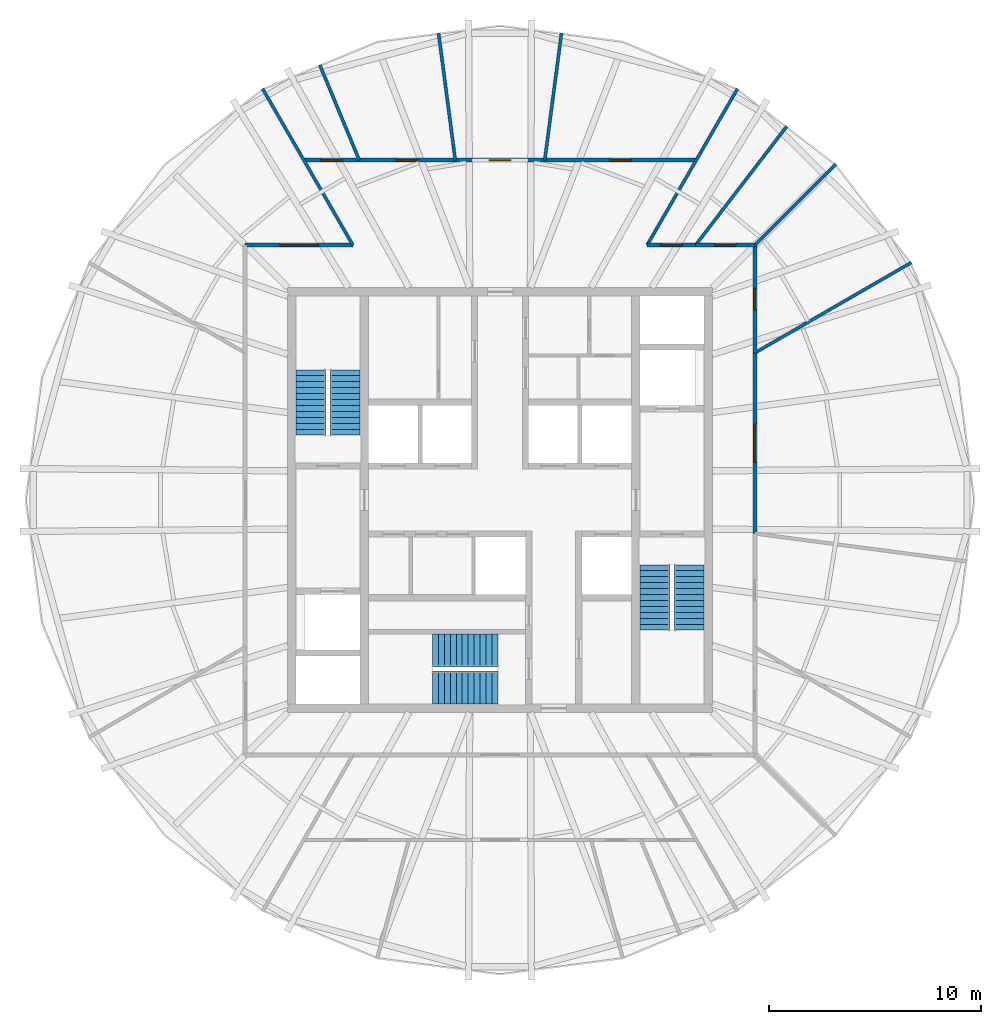
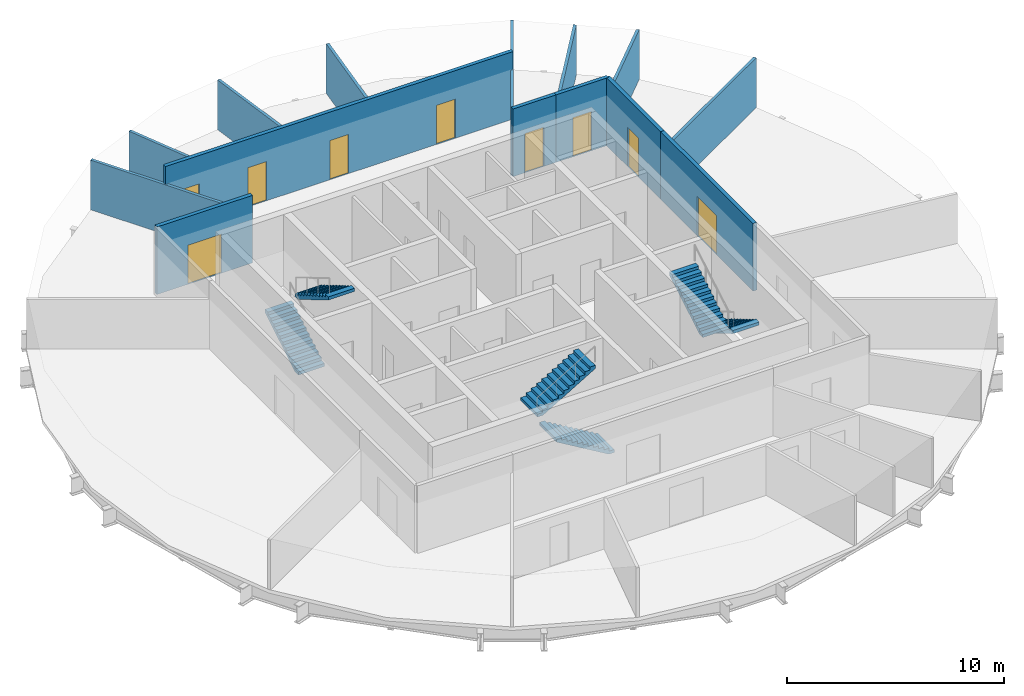
# One storey, part 5 of 6: 14 walls, 9 doors, 6 stair flights, 9 openings, 3 elements without a shape of their own.
"""IFC4 building model written with IfcOpenShell, lengths in metres."""

from ifc_helpers import new_model, si_unit, direction, frame, frame_2d, origin, place, context, subcontext, project, spatial, polyline, rectangle, outline, extrude, material, layer, layer_set, type_object, element, fill, aggregate, save


model = new_model("IFC4")

# Units and contexts
model_context = context("Model", 3, precision=1e-05, world=origin(), true_north=direction((0.0, 1.0)))
body_context = subcontext(model_context, "Body", "Model", "MODEL_VIEW")
ifc_project = project(units=[si_unit("LENGTHUNIT", "METRE"), si_unit("AREAUNIT", "SQUARE_METRE"), si_unit("VOLUMEUNIT", "CUBIC_METRE"), si_unit("PLANEANGLEUNIT", "RADIAN"), si_unit("MASSUNIT", "GRAM", prefix="KILO")], contexts=[model_context])

# Site, building, storey
site_placement = place(None, origin())
site = spatial("IfcSite", under=ifc_project, at=site_placement, CompositionType="ELEMENT")
building_placement = place(site_placement, origin())
building = spatial("IfcBuilding", under=site, at=building_placement, Name="Golbaran Civic Tower", CompositionType="ELEMENT")
storey_placement = place(building_placement, frame((0.0, 0.0, 252.0)))
storey = spatial("IfcBuildingStorey", under=building, at=storey_placement, Name="L61", CompositionType="ELEMENT", Elevation=252.0)

# Wall, opening, door
ifc_material_1 = material(Name="Gypsum board on steel studs, fire-rated", Category="steel")
ifc_layer_1 = layer(ifc_material_1, 0.199951171875, Name="Gypsum board on steel studs, fire-rated")
ifc_layer_set_1 = layer_set([ifc_layer_1], Name="Gypsum board on steel studs, fire-rated")
wall_type_1 = type_object("IfcWallType", Name="CORRIDOR WALL 200", PredefinedType="PARTITIONING", material=ifc_layer_set_1)
wall_1_placement = place(storey_placement, frame((12.0, -1.579833984375, 0.0), z_axis=(0.0, 0.0, 1.0), x_axis=(0.0, 1.0, 0.0)))
wall_1 = element("IfcWall", 1, at=wall_1_placement, inside=storey, type_object=wall_type_1, Name="Corridor wall L61", PredefinedType="PARTITIONING", context=body_context, shape_type="SweptSolid", body=[
    extrude(rectangle(XDim=8.508056640625, YDim=0.199951171875, at=frame_2d((4.25390625, 0.0))), origin(), (0.0, 0.0, 1.0), 3.800048828125),
])
opening_1_placement = place(wall_1_placement, frame((3.35400390625, 0.0, 0.0)))
opening_1 = element("IfcOpeningElement", 2, at=opening_1_placement, cuts=wall_1, Name="Opening L61.11", PredefinedType="OPENING", context=body_context, shape_type="SweptSolid", body=[
    extrude(rectangle(XDim=1.800048828125, YDim=2.199951171875, at=frame_2d((0.89990234375, 1.10009765625))), frame((0.0, 0.10986328125, 0.0), z_axis=(0.0, -1.0, 0.0), x_axis=(1.0, 0.0, 0.0)), (0.0, 0.0, 1.0), 0.219970703125),
])
ifc_material_2 = material(Name="Timber door set in steel frame", Category="steel")
door_type_1 = type_object("IfcDoorType", Name="OFFICE DOUBLE DOOR 1800x2200", OperationType="DOUBLE_DOOR_SINGLE_SWING", PredefinedType="DOOR", material=ifc_material_2)
door_1_placement = place(opening_1_placement, origin())
door_1 = element("IfcDoor", 3, at=door_1_placement, inside=storey, type_object=door_type_1, Name="Conference Room door L61", OperationType="DOUBLE_DOOR_SINGLE_SWING", OverallHeight=2.199951171875, OverallWidth=1.800048828125, PredefinedType="DOOR", context=body_context, shape_type="SweptSolid", body=[
    extrude(rectangle(XDim=1.800048828125, YDim=2.199951171875, at=frame_2d((0.89990234375, 1.10009765625))), frame((0.0, 0.02490234375, 0.0), z_axis=(0.0, -1.0, 0.0), x_axis=(1.0, 0.0, 0.0)), (0.0, 0.0, 1.0), 0.050048828125),
])
fill(opening_1, door_1)

wall_2_placement = place(storey_placement, frame((12.0, 6.92822265625, 0.0), z_axis=(0.0, 0.0, 1.0), x_axis=(0.0, 1.0, 0.0)))
wall_2 = element("IfcWall", 4, at=wall_2_placement, inside=storey, type_object=wall_type_1, Name="Corridor wall L61", PredefinedType="PARTITIONING", context=body_context, shape_type="SweptSolid", body=[
    extrude(rectangle(XDim=5.07177734375, YDim=0.199951171875, at=frame_2d((2.535888671875, 0.0))), origin(), (0.0, 0.0, 1.0), 3.800048828125),
])
opening_2_placement = place(wall_2_placement, frame((2.035888671875, 0.0, 0.0)))
opening_2 = element("IfcOpeningElement", 5, at=opening_2_placement, cuts=wall_2, Name="Opening L61.12", PredefinedType="OPENING", context=body_context, shape_type="SweptSolid", body=[
    extrude(rectangle(XDim=1.0, YDim=2.199951171875, at=frame_2d((0.5, 1.10009765625))), frame((0.0, 0.10986328125, 0.0), z_axis=(0.0, -1.0, 0.0), x_axis=(1.0, 0.0, 0.0)), (0.0, 0.0, 1.0), 0.219970703125),
])
door_type_2 = type_object("IfcDoorType", Name="OFFICE DOOR 1000x2200", OperationType="SINGLE_SWING_LEFT", PredefinedType="DOOR", material=ifc_material_2)
door_2_placement = place(opening_2_placement, origin())
door_2 = element("IfcDoor", 6, at=door_2_placement, inside=storey, type_object=door_type_2, Name="Pantry door L61", OperationType="SINGLE_SWING_LEFT", OverallHeight=2.199951171875, OverallWidth=1.0, PredefinedType="DOOR", context=body_context, shape_type="SweptSolid", body=[
    extrude(rectangle(XDim=1.0, YDim=2.199951171875, at=frame_2d((0.5, 1.10009765625))), frame((0.0, 0.02490234375, 0.0), z_axis=(0.0, -1.0, 0.0), x_axis=(1.0, 0.0, 0.0)), (0.0, 0.0, 1.0), 0.050048828125),
])
fill(opening_2, door_2)

wall_3_placement = place(storey_placement, frame((12.0, 12.0, 0.0), z_axis=(0.0, 0.0, 1.0), x_axis=(-1.0, 0.0, 0.0)))
wall_3 = element("IfcWall", 7, at=wall_3_placement, inside=storey, type_object=wall_type_1, Name="Corridor wall L61", PredefinedType="PARTITIONING", context=body_context, shape_type="SweptSolid", body=[
    extrude(rectangle(XDim=2.7919921875, YDim=0.199951171875, at=frame_2d((1.39599609375, 0.0))), origin(), (0.0, 0.0, 1.0), 3.800048828125),
])
opening_3_placement = place(wall_3_placement, frame((0.89599609375, 0.0, 0.0)))
opening_3 = element("IfcOpeningElement", 8, at=opening_3_placement, cuts=wall_3, Name="Opening L61.13", PredefinedType="OPENING", context=body_context, shape_type="SweptSolid", body=[
    extrude(rectangle(XDim=1.0, YDim=2.199951171875, at=frame_2d((0.5, 1.10009765625))), frame((0.0, 0.10986328125, 0.0), z_axis=(0.0, -1.0, 0.0), x_axis=(1.0, 0.0, 0.0)), (0.0, 0.0, 1.0), 0.219970703125),
])
door_3_placement = place(opening_3_placement, origin())
door_3 = element("IfcDoor", 9, at=door_3_placement, inside=storey, type_object=door_type_2, Name="Quiet Room door L61", OperationType="SINGLE_SWING_RIGHT", OverallHeight=2.199951171875, OverallWidth=1.0, PredefinedType="DOOR", context=body_context, shape_type="SweptSolid", body=[
    extrude(rectangle(XDim=1.0, YDim=2.199951171875, at=frame_2d((0.5, 1.10009765625))), frame((0.0, 0.02490234375, 0.0), z_axis=(0.0, -1.0, 0.0), x_axis=(1.0, 0.0, 0.0)), (0.0, 0.0, 1.0), 0.050048828125),
])
fill(opening_3, door_3)

wall_4_placement = place(storey_placement, frame((9.2080078125, 12.0, 0.0), z_axis=(0.0, 0.0, 1.0), x_axis=(-1.0, 0.0, 0.0)))
wall_4 = element("IfcWall", 10, at=wall_4_placement, inside=storey, type_object=wall_type_1, Name="Corridor wall L61", PredefinedType="PARTITIONING", context=body_context, shape_type="SweptSolid", body=[
    extrude(rectangle(XDim=2.27978515625, YDim=0.199951171875, at=frame_2d((1.139892578125, 0.0))), origin(), (0.0, 0.0, 1.0), 3.800048828125),
])
opening_4_placement = place(wall_4_placement, frame((0.639892578125, 0.0, 0.0)))
opening_4 = element("IfcOpeningElement", 11, at=opening_4_placement, cuts=wall_4, Name="Opening L61.14", PredefinedType="OPENING", context=body_context, shape_type="SweptSolid", body=[
    extrude(rectangle(XDim=1.0, YDim=2.199951171875, at=frame_2d((0.5, 1.10009765625))), frame((0.0, 0.10986328125, 0.0), z_axis=(0.0, -1.0, 0.0), x_axis=(1.0, 0.0, 0.0)), (0.0, 0.0, 1.0), 0.219970703125),
])
door_4_placement = place(opening_4_placement, origin())
door_4 = element("IfcDoor", 12, at=door_4_placement, inside=storey, type_object=door_type_2, Name="Prayer Room door L61", OperationType="SINGLE_SWING_RIGHT", OverallHeight=2.199951171875, OverallWidth=1.0, PredefinedType="DOOR", context=body_context, shape_type="SweptSolid", body=[
    extrude(rectangle(XDim=1.0, YDim=2.199951171875, at=frame_2d((0.5, 1.10009765625))), frame((0.0, 0.02490234375, 0.0), z_axis=(0.0, -1.0, 0.0), x_axis=(1.0, 0.0, 0.0)), (0.0, 0.0, 1.0), 0.050048828125),
])
fill(opening_4, door_4)

wall_5_placement = place(storey_placement, frame((-6.92822265625, 12.0, 0.0), z_axis=(0.0, 0.0, 1.0), x_axis=(-1.0, 0.0, 0.0)))
wall_5 = element("IfcWall", 13, at=wall_5_placement, inside=storey, type_object=wall_type_1, Name="Corridor wall L61", PredefinedType="PARTITIONING", context=body_context, shape_type="SweptSolid", body=[
    extrude(rectangle(XDim=5.07177734375, YDim=0.199951171875, at=frame_2d((2.535888671875, 0.0))), origin(), (0.0, 0.0, 1.0), 3.800048828125),
])
opening_5_placement = place(wall_5_placement, frame((1.635986328125, 0.0, 0.0)))
opening_5 = element("IfcOpeningElement", 14, at=opening_5_placement, cuts=wall_5, Name="Opening L61.15", PredefinedType="OPENING", context=body_context, shape_type="SweptSolid", body=[
    extrude(rectangle(XDim=1.800048828125, YDim=2.199951171875, at=frame_2d((0.89990234375, 1.10009765625))), frame((0.0, 0.10986328125, 0.0), z_axis=(0.0, -1.0, 0.0), x_axis=(1.0, 0.0, 0.0)), (0.0, 0.0, 1.0), 0.219970703125),
])
door_5_placement = place(opening_5_placement, origin())
door_5 = element("IfcDoor", 15, at=door_5_placement, inside=storey, type_object=door_type_1, Name="Open Office door L61", OperationType="DOUBLE_DOOR_SINGLE_SWING", OverallHeight=2.199951171875, OverallWidth=1.800048828125, PredefinedType="DOOR", context=body_context, shape_type="SweptSolid", body=[
    extrude(rectangle(XDim=1.800048828125, YDim=2.199951171875, at=frame_2d((0.89990234375, 1.10009765625))), frame((0.0, 0.02490234375, 0.0), z_axis=(0.0, -1.0, 0.0), x_axis=(1.0, 0.0, 0.0)), (0.0, 0.0, 1.0), 0.050048828125),
])
fill(opening_5, door_5)

# Wall, openings, doors
ifc_material_3 = material(Name="Gypsum board on steel studs, fire-rated, glazed panels", Category="steel")
ifc_layer_2 = layer(ifc_material_3, 0.199951171875, Name="Gypsum board on steel studs, fire-rated, glazed panels")
ifc_layer_set_2 = layer_set([ifc_layer_2], Name="Gypsum board on steel studs, fire-rated, glazed panels")
wall_type_2 = type_object("IfcWallType", Name="GALLERY WALL 200", PredefinedType="PARTITIONING", material=ifc_layer_set_2)
wall_6_placement = place(storey_placement, frame((9.237548828125, 16.0, 0.0), z_axis=(0.0, 0.0, 1.0), x_axis=(-1.0, 0.0, 0.0)))
wall_6 = element("IfcWall", 16, at=wall_6_placement, inside=storey, type_object=wall_type_2, Name="Gallery wall L61", PredefinedType="PARTITIONING", context=body_context, shape_type="SweptSolid", body=[
    extrude(rectangle(XDim=18.47509765625, YDim=0.199951171875, at=frame_2d((9.237548828125, 0.0))), origin(), (0.0, 0.0, 1.0), 3.800048828125),
])
opening_6_placement = place(wall_6_placement, frame((3.065673828125, 0.0, 0.0)))
opening_6 = element("IfcOpeningElement", 17, at=opening_6_placement, cuts=wall_6, Name="Opening L61.01", PredefinedType="OPENING", context=body_context, shape_type="SweptSolid", body=[
    extrude(rectangle(XDim=1.0, YDim=2.199951171875, at=frame_2d((0.5, 1.10009765625))), frame((0.0, 0.10986328125, 0.0), z_axis=(0.0, -1.0, 0.0), x_axis=(1.0, 0.0, 0.0)), (0.0, 0.0, 1.0), 0.219970703125),
])
opening_7_placement = place(wall_6_placement, frame((8.737548828125, 0.0, 0.0)))
opening_7 = element("IfcOpeningElement", 18, at=opening_7_placement, cuts=wall_6, Name="Opening L61.02", PredefinedType="OPENING", context=body_context, shape_type="SweptSolid", body=[
    extrude(rectangle(XDim=1.0, YDim=2.199951171875, at=frame_2d((0.5, 1.10009765625))), frame((0.0, 0.10986328125, 0.0), z_axis=(0.0, -1.0, 0.0), x_axis=(1.0, 0.0, 0.0)), (0.0, 0.0, 1.0), 0.219970703125),
])
opening_8_placement = place(wall_6_placement, frame((13.1044921875, 0.0, 0.0)))
opening_8 = element("IfcOpeningElement", 19, at=opening_8_placement, cuts=wall_6, Name="Opening L61.03", PredefinedType="OPENING", context=body_context, shape_type="SweptSolid", body=[
    extrude(rectangle(XDim=1.0, YDim=2.199951171875, at=frame_2d((0.5, 1.10009765625))), frame((0.0, 0.10986328125, 0.0), z_axis=(0.0, -1.0, 0.0), x_axis=(1.0, 0.0, 0.0)), (0.0, 0.0, 1.0), 0.219970703125),
])
opening_9_placement = place(wall_6_placement, frame((16.670166015625, 0.0, 0.0)))
opening_9 = element("IfcOpeningElement", 20, at=opening_9_placement, cuts=wall_6, Name="Opening L61.04", PredefinedType="OPENING", context=body_context, shape_type="SweptSolid", body=[
    extrude(rectangle(XDim=1.0, YDim=2.199951171875, at=frame_2d((0.5, 1.10009765625))), frame((0.0, 0.10986328125, 0.0), z_axis=(0.0, -1.0, 0.0), x_axis=(1.0, 0.0, 0.0)), (0.0, 0.0, 1.0), 0.219970703125),
])
door_6_placement = place(opening_6_placement, origin())
door_6 = element("IfcDoor", 21, at=door_6_placement, inside=storey, type_object=door_type_2, Name="Office door L61", OperationType="SINGLE_SWING_LEFT", OverallHeight=2.199951171875, OverallWidth=1.0, PredefinedType="DOOR", context=body_context, shape_type="SweptSolid", body=[
    extrude(rectangle(XDim=1.0, YDim=2.199951171875, at=frame_2d((0.5, 1.10009765625))), frame((0.0, 0.02490234375, 0.0), z_axis=(0.0, -1.0, 0.0), x_axis=(1.0, 0.0, 0.0)), (0.0, 0.0, 1.0), 0.050048828125),
])
fill(opening_6, door_6)
door_7_placement = place(opening_7_placement, origin())
door_7 = element("IfcDoor", 22, at=door_7_placement, inside=storey, type_object=door_type_2, Name="Assistants' Office door L61", OperationType="SINGLE_SWING_RIGHT", OverallHeight=2.199951171875, OverallWidth=1.0, PredefinedType="DOOR", context=body_context, shape_type="SweptSolid", body=[
    extrude(rectangle(XDim=1.0, YDim=2.199951171875, at=frame_2d((0.5, 1.10009765625))), frame((0.0, 0.02490234375, 0.0), z_axis=(0.0, -1.0, 0.0), x_axis=(1.0, 0.0, 0.0)), (0.0, 0.0, 1.0), 0.050048828125),
])
fill(opening_7, door_7)
door_8_placement = place(opening_8_placement, origin())
door_8 = element("IfcDoor", 23, at=door_8_placement, inside=storey, type_object=door_type_2, Name="Assistants' Office door L61", OperationType="SINGLE_SWING_RIGHT", OverallHeight=2.199951171875, OverallWidth=1.0, PredefinedType="DOOR", context=body_context, shape_type="SweptSolid", body=[
    extrude(rectangle(XDim=1.0, YDim=2.199951171875, at=frame_2d((0.5, 1.10009765625))), frame((0.0, 0.02490234375, 0.0), z_axis=(0.0, -1.0, 0.0), x_axis=(1.0, 0.0, 0.0)), (0.0, 0.0, 1.0), 0.050048828125),
])
fill(opening_8, door_8)
door_9_placement = place(opening_9_placement, origin())
door_9 = element("IfcDoor", 24, at=door_9_placement, inside=storey, type_object=door_type_2, Name="Office door L61", OperationType="SINGLE_SWING_RIGHT", OverallHeight=2.199951171875, OverallWidth=1.0, PredefinedType="DOOR", context=body_context, shape_type="SweptSolid", body=[
    extrude(rectangle(XDim=1.0, YDim=2.199951171875, at=frame_2d((0.5, 1.10009765625))), frame((0.0, 0.02490234375, 0.0), z_axis=(0.0, -1.0, 0.0), x_axis=(1.0, 0.0, 0.0)), (0.0, 0.0, 1.0), 0.050048828125),
])
fill(opening_9, door_9)

# Walls
ifc_material_4 = material(Name="Gypsum board on steel studs", Category="steel")
ifc_layer_3 = layer(ifc_material_4, 0.14990234375, Name="Gypsum board on steel studs")
ifc_layer_set_3 = layer_set([ifc_layer_3], Name="Gypsum board on steel studs")
wall_type_3 = type_object("IfcWallType", Name="OFFICE PARTITION 150", PredefinedType="PARTITIONING", material=ifc_layer_set_3)
wall_7_placement = place(storey_placement, frame((12.0, 6.92822265625, 0.0), z_axis=(0.0, 0.0, 1.0), x_axis=(0.866026401553, 0.49999827181, 0.0)))
element("IfcWall", 25, at=wall_7_placement, inside=storey, type_object=wall_type_3, Name="Partition 30 L61", PredefinedType="PARTITIONING", context=body_context, shape_type="SweptSolid", body=[
    extrude(rectangle(XDim=8.5048828125, YDim=0.14990234375, at=frame_2d((4.25244140625, 0.0))), origin(), (0.0, 0.0, 1.0), 2.7900390625),
])
wall_8_placement = place(storey_placement, frame((12.0, 12.0, 0.0), z_axis=(0.0, 0.0, 1.0), x_axis=(0.707106781187, 0.707106781187, 0.0)))
element("IfcWall", 26, at=wall_8_placement, inside=storey, type_object=wall_type_3, Name="Partition 45 L61", PredefinedType="PARTITIONING", context=body_context, shape_type="SweptSolid", body=[
    extrude(rectangle(XDim=5.390625, YDim=0.14990234375, at=frame_2d((2.6953125, 0.0))), origin(), (0.0, 0.0, 1.0), 2.7900390625),
])
wall_9_placement = place(storey_placement, frame((9.2080078125, 12.0, 0.0), z_axis=(0.0, 0.0, 1.0), x_axis=(0.608742186743, 0.79336810503, 0.0)))
element("IfcWall", 27, at=wall_9_placement, inside=storey, type_object=wall_type_3, Name="Partition 52.5 L61", PredefinedType="PARTITIONING", context=body_context, shape_type="SweptSolid", body=[
    extrude(rectangle(XDim=7.044189453125, YDim=0.14990234375, at=frame_2d((3.52197265625, 0.0))), origin(), (0.0, 0.0, 1.0), 2.7900390625),
])
for number, where, z_axis, x_axis, name in (
    (28, (6.92822265625, 12.0, 0.0), (0.0, 0.0, 1.0), (0.49999827181, 0.866026401553, 0.0), "Partition 60 L61"),
    (29, (-6.92822265625, 12.0, 0.0), (0.0, 0.0, 1.0), (-0.49999827181, 0.866026401553, 0.0), "Partition 120 L61"),
):
    element("IfcWall", number, at=place(storey_placement, frame(where, z_axis=z_axis, x_axis=x_axis)), inside=storey, type_object=wall_type_3, Name=name, PredefinedType="PARTITIONING", context=body_context, shape_type="SweptSolid", body=[
        extrude(rectangle(XDim=8.5048828125, YDim=0.14990234375, at=frame_2d((4.25244140625, 0.0))), origin(), (0.0, 0.0, 1.0), 2.7900390625),
    ])
for number, where, z_axis, x_axis, name in (
    (30, (2.1064453125, 16.0, 0.0), (0.0, 0.0, 1.0), (0.130533038219, 0.991443960057, 0.0), "Partition 82.5 L61"),
    (31, (-2.1064453125, 16.0, 0.0), (0.0, 0.0, 1.0), (-0.130533038219, 0.991443960057, 0.0), "Partition 97.5 L61"),
):
    element("IfcWall", number, at=place(storey_placement, frame(where, z_axis=z_axis, x_axis=x_axis)), inside=storey, type_object=wall_type_3, Name=name, PredefinedType="PARTITIONING", context=body_context, shape_type="SweptSolid", body=[
        extrude(rectangle(XDim=6.03173828125, YDim=0.14990234375, at=frame_2d((3.015869140625, 0.0))), origin(), (0.0, 0.0, 1.0), 2.7900390625),
    ])
wall_10_placement = place(storey_placement, frame((-6.62744140625, 16.0, 0.0), z_axis=(0.0, 0.0, 1.0), x_axis=(-0.38268510723, 0.923878838758, 0.0)))
element("IfcWall", 32, at=wall_10_placement, inside=storey, type_object=wall_type_3, Name="Partition 112.5 L61", PredefinedType="PARTITIONING", context=body_context, shape_type="SweptSolid", body=[
    extrude(rectangle(XDim=4.851806640625, YDim=0.14990234375, at=frame_2d((2.42578125, 0.0))), origin(), (0.0, 0.0, 1.0), 2.7900390625),
])

# Stair, stair flights
ifc_material_5 = material(Name="Concrete C35/45", Category="concrete")
stair_type_1 = type_object("IfcStairType", Name="EXIT STAIR 3000 x 7850, 4000 RISE", PredefinedType="HALF_TURN_STAIR", material=ifc_material_5)
stair_1_placement = place(storey_placement, origin())
stair_1 = element("IfcStair", 33, at=stair_1_placement, inside=storey, type_object=stair_type_1, Name="Stair S1 L61", PredefinedType="HALF_TURN_STAIR")
stair_flight_type_1 = type_object("IfcStairFlightType", Name="STAIR FLIGHT 1400 WIDE", PredefinedType="STRAIGHT", material=ifc_material_5)
stair_flight_1_placement = place(storey_placement, frame((-8.89990234375, 3.050048828125, 0.0), z_axis=(0.0, 0.0, 1.0), x_axis=(0.0, 1.0, 0.0)))
stair_flight_1 = element("IfcStairFlight", 34, at=stair_flight_1_placement, type_object=stair_flight_type_1, Name="ST30078-40 flight 1", NumberOfRisers=12, NumberOfTreads=11, PredefinedType="STRAIGHT", RiserHeight=0.166666667, TreadLength=0.28, context=body_context, shape_type="SweptSolid", body=[
    extrude(outline(polyline([(0.0, 0.0), (0.0, 0.166748046875), (0.280029296875, 0.166748046875), (0.280029296875, 0.333251953125), (0.56005859375, 0.333251953125), (0.56005859375, 0.5), (0.840087890625, 0.5), (0.840087890625, 0.666748046875), (1.1201171875, 0.666748046875), (1.1201171875, 0.833251953125), (1.39990234375, 0.833251953125), (1.39990234375, 1.0), (1.679931640625, 1.0), (1.679931640625, 1.166748046875), (1.9599609375, 1.166748046875), (1.9599609375, 1.333251953125), (2.239990234375, 1.333251953125), (2.239990234375, 1.5), (2.52001953125, 1.5), (2.52001953125, 1.666748046875), (2.800048828125, 1.666748046875), (2.800048828125, 1.833251953125), (3.080078125, 1.833251953125), (3.080078125, 2.0), (3.080078125, 1.658935546875), (0.29296875, 0.0), (0.0, 0.0)])), frame((0.0, 0.699951171875, 0.0), z_axis=(0.0, -1.0, 0.0), x_axis=(1.0, 0.0, 0.0)), (0.0, 0.0, 1.0), 1.39990234375),
])
stair_flight_2_placement = place(storey_placement, frame((-7.300048828125, 6.1298828125, 2.0), z_axis=(0.0, 0.0, 1.0), x_axis=(0.0, -1.0, 0.0)))
stair_flight_2 = element("IfcStairFlight", 35, at=stair_flight_2_placement, type_object=stair_flight_type_1, Name="ST30078-40 flight 2", NumberOfRisers=12, NumberOfTreads=11, PredefinedType="STRAIGHT", RiserHeight=0.166666667, TreadLength=0.28, context=body_context, shape_type="SweptSolid", body=[
    extrude(outline(polyline([(0.0, 0.0), (0.0, 0.166748046875), (0.280029296875, 0.166748046875), (0.280029296875, 0.333251953125), (0.56005859375, 0.333251953125), (0.56005859375, 0.5), (0.840087890625, 0.5), (0.840087890625, 0.666748046875), (1.1201171875, 0.666748046875), (1.1201171875, 0.833251953125), (1.39990234375, 0.833251953125), (1.39990234375, 1.0), (1.679931640625, 1.0), (1.679931640625, 1.166748046875), (1.9599609375, 1.166748046875), (1.9599609375, 1.333251953125), (2.239990234375, 1.333251953125), (2.239990234375, 1.5), (2.52001953125, 1.5), (2.52001953125, 1.666748046875), (2.800048828125, 1.666748046875), (2.800048828125, 1.833251953125), (3.080078125, 1.833251953125), (3.080078125, 2.0), (3.080078125, 1.658935546875), (0.29296875, 0.0), (0.0, 0.0)])), frame((0.0, 0.699951171875, 0.0), z_axis=(0.0, -1.0, 0.0), x_axis=(1.0, 0.0, 0.0)), (0.0, 0.0, 1.0), 1.39990234375),
])
aggregate(stair_1, [stair_flight_1, stair_flight_2])

stair_2_placement = place(storey_placement, origin())
stair_2 = element("IfcStair", 36, at=stair_2_placement, inside=storey, type_object=stair_type_1, Name="Stair S2 L61", PredefinedType="HALF_TURN_STAIR")
stair_flight_3_placement = place(storey_placement, frame((8.89990234375, -3.050048828125, 0.0), z_axis=(0.0, 0.0, 1.0), x_axis=(0.0, -1.0, 0.0)))
stair_flight_3 = element("IfcStairFlight", 37, at=stair_flight_3_placement, type_object=stair_flight_type_1, Name="ST30078-40 flight 1", NumberOfRisers=12, NumberOfTreads=11, PredefinedType="STRAIGHT", RiserHeight=0.166666667, TreadLength=0.28, context=body_context, shape_type="SweptSolid", body=[
    extrude(outline(polyline([(0.0, 0.0), (0.0, 0.166748046875), (0.280029296875, 0.166748046875), (0.280029296875, 0.333251953125), (0.56005859375, 0.333251953125), (0.56005859375, 0.5), (0.840087890625, 0.5), (0.840087890625, 0.666748046875), (1.1201171875, 0.666748046875), (1.1201171875, 0.833251953125), (1.39990234375, 0.833251953125), (1.39990234375, 1.0), (1.679931640625, 1.0), (1.679931640625, 1.166748046875), (1.9599609375, 1.166748046875), (1.9599609375, 1.333251953125), (2.239990234375, 1.333251953125), (2.239990234375, 1.5), (2.52001953125, 1.5), (2.52001953125, 1.666748046875), (2.800048828125, 1.666748046875), (2.800048828125, 1.833251953125), (3.080078125, 1.833251953125), (3.080078125, 2.0), (3.080078125, 1.658935546875), (0.29296875, 0.0), (0.0, 0.0)])), frame((0.0, 0.699951171875, 0.0), z_axis=(0.0, -1.0, 0.0), x_axis=(1.0, 0.0, 0.0)), (0.0, 0.0, 1.0), 1.39990234375),
])
stair_flight_4_placement = place(storey_placement, frame((7.300048828125, -6.1298828125, 2.0), z_axis=(0.0, 0.0, 1.0), x_axis=(0.0, 1.0, 0.0)))
stair_flight_4 = element("IfcStairFlight", 38, at=stair_flight_4_placement, type_object=stair_flight_type_1, Name="ST30078-40 flight 2", NumberOfRisers=12, NumberOfTreads=11, PredefinedType="STRAIGHT", RiserHeight=0.166666667, TreadLength=0.28, context=body_context, shape_type="SweptSolid", body=[
    extrude(outline(polyline([(0.0, 0.0), (0.0, 0.166748046875), (0.280029296875, 0.166748046875), (0.280029296875, 0.333251953125), (0.56005859375, 0.333251953125), (0.56005859375, 0.5), (0.840087890625, 0.5), (0.840087890625, 0.666748046875), (1.1201171875, 0.666748046875), (1.1201171875, 0.833251953125), (1.39990234375, 0.833251953125), (1.39990234375, 1.0), (1.679931640625, 1.0), (1.679931640625, 1.166748046875), (1.9599609375, 1.166748046875), (1.9599609375, 1.333251953125), (2.239990234375, 1.333251953125), (2.239990234375, 1.5), (2.52001953125, 1.5), (2.52001953125, 1.666748046875), (2.800048828125, 1.666748046875), (2.800048828125, 1.833251953125), (3.080078125, 1.833251953125), (3.080078125, 2.0), (3.080078125, 1.658935546875), (0.29296875, 0.0), (0.0, 0.0)])), frame((0.0, 0.699951171875, 0.0), z_axis=(0.0, -1.0, 0.0), x_axis=(1.0, 0.0, 0.0)), (0.0, 0.0, 1.0), 1.39990234375),
])
aggregate(stair_2, [stair_flight_3, stair_flight_4])

stair_type_2 = type_object("IfcStairType", Name="EXIT STAIR 3300 x 7400, 4000 RISE", PredefinedType="HALF_TURN_STAIR", material=ifc_material_5)
stair_3_placement = place(storey_placement, origin())
stair_3 = element("IfcStair", 39, at=stair_3_placement, inside=storey, type_object=stair_type_2, Name="Stair S3 L61", PredefinedType="HALF_TURN_STAIR")
stair_flight_type_2 = type_object("IfcStairFlightType", Name="STAIR FLIGHT 1550 WIDE", PredefinedType="STRAIGHT", material=ifc_material_5)
stair_flight_5_placement = place(storey_placement, frame((-0.10009765625, -8.824951171875, 0.0), z_axis=(0.0, 0.0, 1.0), x_axis=(-1.0, 0.0, 0.0)))
stair_flight_5 = element("IfcStairFlight", 40, at=stair_flight_5_placement, type_object=stair_flight_type_2, Name="ST33074-40 flight 1", NumberOfRisers=12, NumberOfTreads=11, PredefinedType="STRAIGHT", RiserHeight=0.166666667, TreadLength=0.28, context=body_context, shape_type="SweptSolid", body=[
    extrude(outline(polyline([(0.0, 0.0), (0.0, 0.166748046875), (0.280029296875, 0.166748046875), (0.280029296875, 0.333251953125), (0.56005859375, 0.333251953125), (0.56005859375, 0.5), (0.840087890625, 0.5), (0.840087890625, 0.666748046875), (1.1201171875, 0.666748046875), (1.1201171875, 0.833251953125), (1.39990234375, 0.833251953125), (1.39990234375, 1.0), (1.679931640625, 1.0), (1.679931640625, 1.166748046875), (1.9599609375, 1.166748046875), (1.9599609375, 1.333251953125), (2.239990234375, 1.333251953125), (2.239990234375, 1.5), (2.52001953125, 1.5), (2.52001953125, 1.666748046875), (2.800048828125, 1.666748046875), (2.800048828125, 1.833251953125), (3.080078125, 1.833251953125), (3.080078125, 2.0), (3.080078125, 1.658935546875), (0.29296875, 0.0), (0.0, 0.0)])), frame((0.0, 0.77490234375, 0.0), z_axis=(0.0, -1.0, 0.0), x_axis=(1.0, 0.0, 0.0)), (0.0, 0.0, 1.0), 1.550048828125),
])
stair_flight_6_placement = place(storey_placement, frame((-3.179931640625, -7.074951171875, 2.0), z_axis=(0.0, 0.0, 1.0), x_axis=(1.0, 0.0, 0.0)))
stair_flight_6 = element("IfcStairFlight", 41, at=stair_flight_6_placement, type_object=stair_flight_type_2, Name="ST33074-40 flight 2", NumberOfRisers=12, NumberOfTreads=11, PredefinedType="STRAIGHT", RiserHeight=0.166666667, TreadLength=0.28, context=body_context, shape_type="SweptSolid", body=[
    extrude(outline(polyline([(0.0, 0.0), (0.0, 0.166748046875), (0.280029296875, 0.166748046875), (0.280029296875, 0.333251953125), (0.56005859375, 0.333251953125), (0.56005859375, 0.5), (0.840087890625, 0.5), (0.840087890625, 0.666748046875), (1.1201171875, 0.666748046875), (1.1201171875, 0.833251953125), (1.39990234375, 0.833251953125), (1.39990234375, 1.0), (1.679931640625, 1.0), (1.679931640625, 1.166748046875), (1.9599609375, 1.166748046875), (1.9599609375, 1.333251953125), (2.239990234375, 1.333251953125), (2.239990234375, 1.5), (2.52001953125, 1.5), (2.52001953125, 1.666748046875), (2.800048828125, 1.666748046875), (2.800048828125, 1.833251953125), (3.080078125, 1.833251953125), (3.080078125, 2.0), (3.080078125, 1.658935546875), (0.29296875, 0.0), (0.0, 0.0)])), frame((0.0, 0.77490234375, 0.0), z_axis=(0.0, -1.0, 0.0), x_axis=(1.0, 0.0, 0.0)), (0.0, 0.0, 1.0), 1.550048828125),
])
aggregate(stair_3, [stair_flight_5, stair_flight_6])

save(model, "model.ifc")
